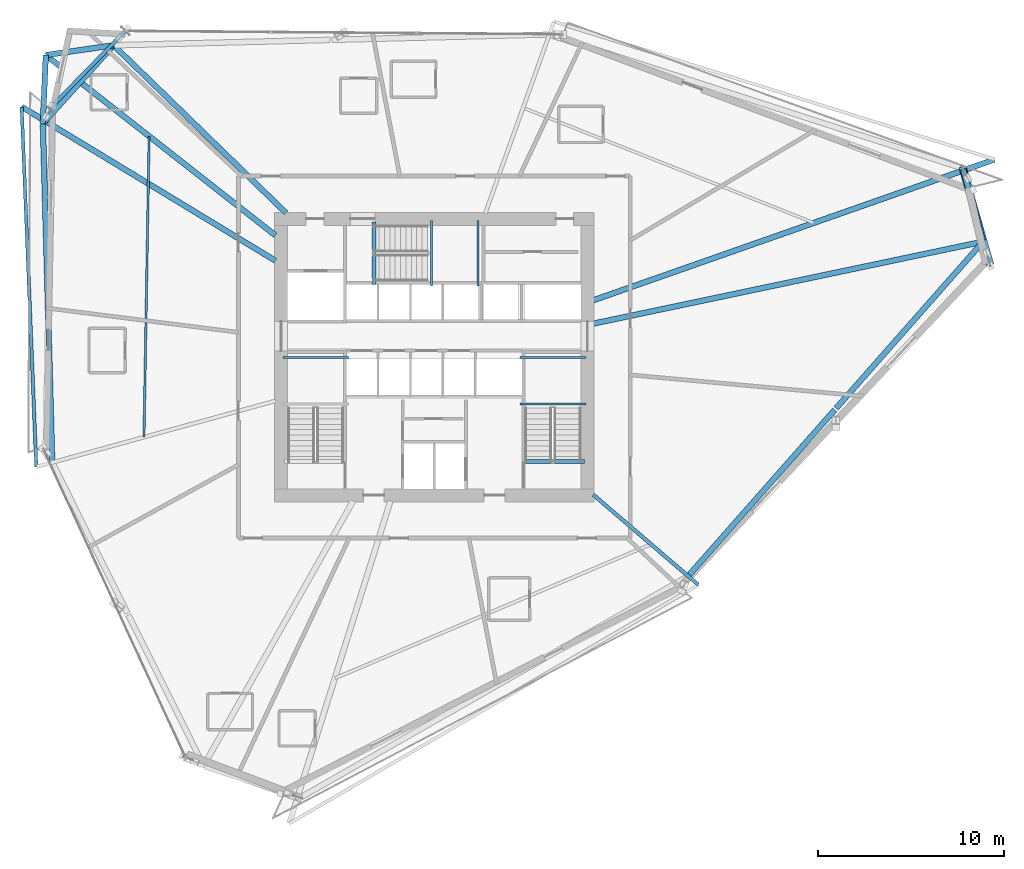
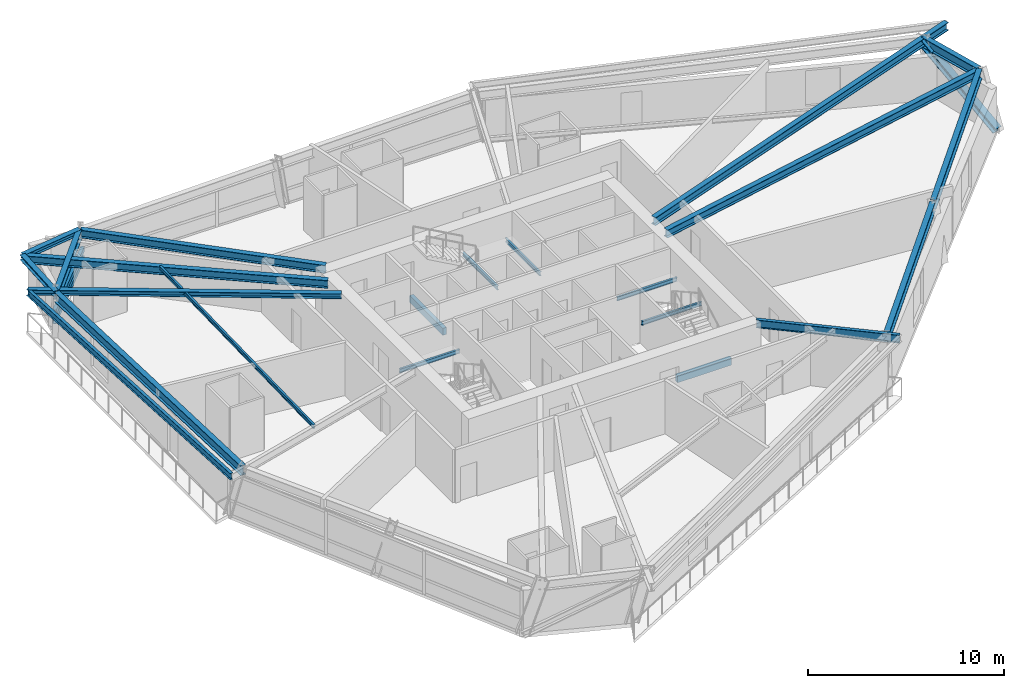
# One storey, part 6 of 22: 22 beams, 3 members.
"""IFC4 building model written with IfcOpenShell, lengths in metres."""

from ifc_helpers import new_model, si_unit, direction, frame, origin, origin_2d, place, context, subcontext, project, spatial, rectangle, hollow_rectangle, i_section, extrude, source, transform, mapped, material, material_profile, profile_set, type_object, element, save


model = new_model("IFC4")

# Units and contexts
model_context = context("Model", 3, precision=1e-05, world=origin(), true_north=direction((0.0, 1.0)))
body_context = subcontext(model_context, "Body", "Model", "MODEL_VIEW")
ifc_project = project(units=[si_unit("LENGTHUNIT", "METRE"), si_unit("AREAUNIT", "SQUARE_METRE"), si_unit("VOLUMEUNIT", "CUBIC_METRE"), si_unit("PLANEANGLEUNIT", "RADIAN"), si_unit("MASSUNIT", "GRAM", prefix="KILO")], contexts=[model_context])

# Site, building, storey
site_placement = place(None, origin())
site = spatial("IfcSite", under=ifc_project, at=site_placement, CompositionType="ELEMENT")
building_placement = place(site_placement, origin())
building = spatial("IfcBuilding", under=site, at=building_placement, Name="Olszyna Solenne Hotel", CompositionType="ELEMENT")
storey_placement = place(building_placement, frame((0.0, 0.0, 95.050048828125)))
storey = spatial("IfcBuildingStorey", under=building, at=storey_placement, Name="L24", CompositionType="ELEMENT", Elevation=95.050048828125)

# Beams
ifc_material_1 = material(Name="Steel S355J2", Category="steel")
ifc_material_profile_1 = material_profile(ifc_material_1, i_section(OverallWidth=0.300048828125, OverallDepth=0.60009765625, WebThickness=0.015380859375, FlangeThickness=0.030029296875, at=origin_2d()), Name="HEB 600", Category="load-bearing")
ifc_profile_set_1 = profile_set([ifc_material_profile_1], Name="Steel S355J2")
beam_type_1 = type_object("IfcBeamType", Name="BM-S2", PredefinedType="BEAM", material=ifc_profile_set_1)
shared_shape_1 = source(origin(), body_context, "Body", "SweptSolid", [
    extrude(i_section(OverallWidth=0.300048828125, OverallDepth=0.60009765625, WebThickness=0.015380859375, FlangeThickness=0.030029296875, at=origin_2d()), origin(), (0.0, 0.0, 1.0), 3.975341796875),
])
beam_1_placement = place(storey_placement, frame((67.544921875, 32.87451171875, 3.0), z_axis=(-0.266478022022, 0.963840995071, 0.0), x_axis=(-0.963840995071, -0.266478022022, 0.0)))
element("IfcBeam", 1, at=beam_1_placement, inside=storey, type_object=beam_type_1, Name="Perimeter spandrel beam BM-S2 B-L24-0720", PredefinedType="BEAM", context=body_context, shape_type="MappedRepresentation", body=[
    mapped(shared_shape_1, transform((0.0, 0.0, 0.0), x_axis=(1.0, 0.0, 0.0), y_axis=(0.0, 1.0, 0.0), z_axis=(0.0, 0.0, 1.0), scale=1.0)),
])
shared_shape_2 = source(origin(), body_context, "Body", "SweptSolid", [
    extrude(i_section(OverallWidth=0.300048828125, OverallDepth=0.60009765625, WebThickness=0.015380859375, FlangeThickness=0.030029296875, at=origin_2d()), origin(), (0.0, 0.0, 1.0), 5.555908203125),
])
beam_2_placement = place(storey_placement, frame((20.67919921875, 43.35009765625, 3.0), z_axis=(-0.670386173774, -0.742012384003, 0.0), x_axis=(0.742012384003, -0.670386173774, 0.0)))
element("IfcBeam", 2, at=beam_2_placement, inside=storey, type_object=beam_type_1, Name="Perimeter spandrel beam BM-S2 B-L24-0724", PredefinedType="BEAM", context=body_context, shape_type="MappedRepresentation", body=[
    mapped(shared_shape_2, transform((0.0, 0.0, 0.0), x_axis=(1.0, 0.0, 0.0), y_axis=(0.0, 1.0, 0.0), z_axis=(0.0, 0.0, 1.0), scale=1.0)),
])
shared_shape_3 = source(origin(), body_context, "Body", "SweptSolid", [
    extrude(i_section(OverallWidth=0.300048828125, OverallDepth=0.60009765625, WebThickness=0.015380859375, FlangeThickness=0.030029296875, at=origin_2d()), origin(), (0.0, 0.0, 1.0), 18.1435546875),
])
beam_3_placement = place(storey_placement, frame((16.916015625, 39.123046875, 3.0), z_axis=(0.027678923806, -0.999616865192, 0.0), x_axis=(0.999616865192, 0.027678923806, 0.0)))
element("IfcBeam", 3, at=beam_3_placement, inside=storey, type_object=beam_type_1, Name="Perimeter spandrel beam BM-S2 B-L24-0725", PredefinedType="BEAM", context=body_context, shape_type="MappedRepresentation", body=[
    mapped(shared_shape_3, transform((0.0, 0.0, 0.0), x_axis=(1.0, 0.0, 0.0), y_axis=(0.0, 1.0, 0.0), z_axis=(0.0, 0.0, 1.0), scale=1.0)),
])
shared_shape_4 = source(origin(), body_context, "Body", "SweptSolid", [
    extrude(i_section(OverallWidth=0.300048828125, OverallDepth=0.60009765625, WebThickness=0.015380859375, FlangeThickness=0.030029296875, at=origin_2d()), origin(), (0.0, 0.0, 1.0), 11.905517578125),
])
for number, where, z_axis, x_axis, name in (
    (4, (51.68994140625, 14.8251953125, 3.0), (0.661533463372, 0.749915646482, 0.0), (-0.749915646482, 0.661533463372, 0.0), "Perimeter spandrel beam BM-S2 B-L24-0730"),
    (5, (59.645263671875, 23.843505859375, 3.0), (0.661521930934, 0.749925819593, 0.0), (-0.749925819593, 0.661521930934, 0.0), "Perimeter spandrel beam BM-S2 B-L24-0731"),
):
    element("IfcBeam", number, at=place(storey_placement, frame(where, z_axis=z_axis, x_axis=x_axis)), inside=storey, type_object=beam_type_1, Name=name, PredefinedType="BEAM", context=body_context, shape_type="MappedRepresentation", body=[
        mapped(shared_shape_4, transform((0.0, 0.0, 0.0), x_axis=(1.0, 0.0, 0.0), y_axis=(0.0, 1.0, 0.0), z_axis=(0.0, 0.0, 1.0), scale=1.0)),
    ])
ifc_material_profile_2 = material_profile(ifc_material_1, i_section(OverallWidth=0.300048828125, OverallDepth=0.489990234375, WebThickness=0.011962890625, FlangeThickness=0.02294921875, at=origin_2d()), Name="HEA 500", Category="load-bearing")
ifc_profile_set_2 = profile_set([ifc_material_profile_2], Name="Steel S355J2")
beam_type_2 = type_object("IfcBeamType", Name="BM-G1", PredefinedType="BEAM", material=ifc_profile_set_2)
shared_shape_5 = source(origin(), body_context, "Body", "SweptSolid", [
    extrude(i_section(OverallWidth=0.300048828125, OverallDepth=0.489990234375, WebThickness=0.011962890625, FlangeThickness=0.02294921875, at=origin_2d()), origin(), (0.0, 0.0, 1.0), 21.409423828125),
])
beam_4_placement = place(storey_placement, frame((67.502197265625, 32.804443359375, 3.054931640625), z_axis=(-0.978592352822, -0.205808180103, 0.0), x_axis=(0.205808180103, -0.978592352822, 0.0)))
element("IfcBeam", 6, at=beam_4_placement, inside=storey, type_object=beam_type_2, Name="Radial floor girder BM-G1 B-L24-0732", PredefinedType="BEAM", context=body_context, shape_type="MappedRepresentation", body=[
    mapped(shared_shape_5, transform((0.0, 0.0, 0.0), x_axis=(1.0, 0.0, 0.0), y_axis=(0.0, 1.0, 0.0), z_axis=(0.0, 0.0, 1.0), scale=1.0)),
])
shared_shape_6 = source(origin(), body_context, "Body", "SweptSolid", [
    extrude(i_section(OverallWidth=0.300048828125, OverallDepth=0.489990234375, WebThickness=0.011962890625, FlangeThickness=0.02294921875, at=origin_2d()), origin(), (0.0, 0.0, 1.0), 22.905029296875),
])
beam_5_placement = place(storey_placement, frame((68.165283203125, 37.239990234375, 3.054931640625), z_axis=(-0.943556860011, -0.331210585468, 0.0), x_axis=(0.331210585468, -0.943556860011, 0.0)))
element("IfcBeam", 7, at=beam_5_placement, inside=storey, type_object=beam_type_2, Name="Radial floor girder BM-G1 B-L24-0733", PredefinedType="BEAM", context=body_context, shape_type="MappedRepresentation", body=[
    mapped(shared_shape_6, transform((0.0, 0.0, 0.0), x_axis=(1.0, 0.0, 0.0), y_axis=(0.0, 1.0, 0.0), z_axis=(0.0, 0.0, 1.0), scale=1.0)),
])
shared_shape_7 = source(origin(), body_context, "Body", "SweptSolid", [
    extrude(i_section(OverallWidth=0.300048828125, OverallDepth=0.489990234375, WebThickness=0.011962890625, FlangeThickness=0.02294921875, at=origin_2d()), origin(), (0.0, 0.0, 1.0), 12.8955078125),
])
beam_6_placement = place(storey_placement, frame((20.762451171875, 43.352783203125, 3.054931640625), z_axis=(0.717116341782, -0.696953479329, 0.0), x_axis=(0.696953479329, 0.717116341782, 0.0)))
element("IfcBeam", 8, at=beam_6_placement, inside=storey, type_object=beam_type_2, Name="Radial floor girder BM-G1 B-L24-0735", PredefinedType="BEAM", context=body_context, shape_type="MappedRepresentation", body=[
    mapped(shared_shape_7, transform((0.0, 0.0, 0.0), x_axis=(1.0, 0.0, 0.0), y_axis=(0.0, 1.0, 0.0), z_axis=(0.0, 0.0, 1.0), scale=1.0)),
])
shared_shape_8 = source(origin(), body_context, "Body", "SweptSolid", [
    extrude(i_section(OverallWidth=0.300048828125, OverallDepth=0.489990234375, WebThickness=0.011962890625, FlangeThickness=0.02294921875, at=origin_2d()), origin(), (0.0, 0.0, 1.0), 15.70263671875),
])
beam_7_placement = place(storey_placement, frame((17.0888671875, 42.851806640625, 3.054931640625), z_axis=(0.786541104932, -0.617537926165, 0.0), x_axis=(0.617537926165, 0.786541104932, 0.0)))
element("IfcBeam", 9, at=beam_7_placement, inside=storey, type_object=beam_type_2, Name="Radial floor girder BM-G1 B-L24-0736", PredefinedType="BEAM", context=body_context, shape_type="MappedRepresentation", body=[
    mapped(shared_shape_8, transform((0.0, 0.0, 0.0), x_axis=(1.0, 0.0, 0.0), y_axis=(0.0, 1.0, 0.0), z_axis=(0.0, 0.0, 1.0), scale=1.0)),
])
ifc_material_profile_3 = material_profile(ifc_material_1, i_section(OverallWidth=0.199951171875, OverallDepth=0.5, WebThickness=0.01025390625, FlangeThickness=0.01611328125, at=origin_2d()), Name="IPE 500", Category="load-bearing")
ifc_profile_set_3 = profile_set([ifc_material_profile_3], Name="Steel S355J2")
beam_type_3 = type_object("IfcBeamType", Name="BM-F3", PredefinedType="BEAM", material=ifc_profile_set_3)
shared_shape_9 = source(origin(), body_context, "Body", "SweptSolid", [
    extrude(i_section(OverallWidth=0.199951171875, OverallDepth=0.5, WebThickness=0.01025390625, FlangeThickness=0.01611328125, at=origin_2d()), origin(), (0.0, 0.0, 1.0), 7.435546875),
])
beam_8_placement = place(storey_placement, frame((52.2060546875, 14.344970703125, 3.050048828125), z_axis=(-0.759038692234, 0.651045515837, 0.0), x_axis=(-0.651045515837, -0.759038692234, 0.0)))
element("IfcBeam", 10, at=beam_8_placement, inside=storey, type_object=beam_type_3, Name="Radial floor girder BM-F3 B-L24-0740", PredefinedType="BEAM", context=body_context, shape_type="MappedRepresentation", body=[
    mapped(shared_shape_9, transform((0.0, 0.0, 0.0), x_axis=(1.0, 0.0, 0.0), y_axis=(0.0, 1.0, 0.0), z_axis=(0.0, 0.0, 1.0), scale=1.0)),
])
ifc_material_profile_4 = material_profile(ifc_material_1, i_section(OverallWidth=0.300048828125, OverallDepth=0.31005859375, WebThickness=0.009033203125, FlangeThickness=0.015380859375, at=origin_2d()), Name="HEA 320", Category="load-bearing")
ifc_profile_set_4 = profile_set([ifc_material_profile_4], Name="Steel S355J2")
beam_type_4 = type_object("IfcBeamType", Name="BM-G3", PredefinedType="BEAM", material=ifc_profile_set_4)
shared_shape_10 = source(origin(), body_context, "Body", "SweptSolid", [
    extrude(i_section(OverallWidth=0.300048828125, OverallDepth=0.31005859375, WebThickness=0.009033203125, FlangeThickness=0.015380859375, at=origin_2d()), origin(), (0.0, 0.0, 1.0), 3.6845703125),
])
for number, where, z_axis, x_axis, name in (
    (11, (20.719482421875, 43.39453125, 3.14501953125), (-0.989589871041, -0.143916250412, 0.0), (0.143916250412, -0.989589871041, 0.0), "Prism side edge beam BM-G3 B-L24-0741"),
    (12, (16.914306640625, 39.18310546875, 3.14501953125), (0.043135301437, 0.999069239728, 0.0), (-0.999069239728, 0.043135301437, 0.0), "Prism side edge beam BM-G3 B-L24-0742"),
):
    element("IfcBeam", number, at=place(storey_placement, frame(where, z_axis=z_axis, x_axis=x_axis)), inside=storey, type_object=beam_type_4, Name=name, PredefinedType="BEAM", context=body_context, shape_type="MappedRepresentation", body=[
        mapped(shared_shape_10, transform((0.0, 0.0, 0.0), x_axis=(1.0, 0.0, 0.0), y_axis=(0.0, 1.0, 0.0), z_axis=(0.0, 0.0, 1.0), scale=1.0)),
    ])
shared_shape_11 = source(origin(), body_context, "Body", "SweptSolid", [
    extrude(i_section(OverallWidth=0.300048828125, OverallDepth=0.31005859375, WebThickness=0.009033203125, FlangeThickness=0.015380859375, at=origin_2d()), origin(), (0.0, 0.0, 1.0), 15.98779296875),
])
beam_9_placement = place(storey_placement, frame((15.7724609375, 40.07958984375, 3.14501953125), z_axis=(0.855054016365, -0.518538936916, 0.0), x_axis=(0.518538936916, 0.855054016365, 0.0)))
element("IfcBeam", 13, at=beam_9_placement, inside=storey, type_object=beam_type_4, Name="Loggia/prism radial back-span girder BM-G3 B-L24-0743", PredefinedType="BEAM", context=body_context, shape_type="MappedRepresentation", body=[
    mapped(shared_shape_11, transform((0.0, 0.0, 0.0), x_axis=(1.0, 0.0, 0.0), y_axis=(0.0, 1.0, 0.0), z_axis=(0.0, 0.0, 1.0), scale=1.0)),
])
ifc_material_profile_5 = material_profile(ifc_material_1, i_section(OverallWidth=0.1201171875, OverallDepth=0.239990234375, WebThickness=0.006103515625, FlangeThickness=0.009765625, at=origin_2d()), Name="IPE 240", Category="load-bearing")
ifc_profile_set_5 = profile_set([ifc_material_profile_5], Name="Steel S355J2")
beam_type_5 = type_object("IfcBeamType", Name="JS-03", PredefinedType="JOIST", material=ifc_profile_set_5)
shared_shape_12 = source(origin(), body_context, "Body", "SweptSolid", [
    extrude(i_section(OverallWidth=0.1201171875, OverallDepth=0.239990234375, WebThickness=0.006103515625, FlangeThickness=0.009765625, at=origin_2d()), origin(), (0.0, 0.0, 1.0), 16.171630859375),
])
beam_10_placement = place(storey_placement, frame((22.6376953125, 38.47509765625, 3.179931640625), z_axis=(-0.0170746217, -0.999854218021, 0.0), x_axis=(0.999854218021, -0.0170746217, 0.0)))
element("IfcBeam", 14, at=beam_10_placement, inside=storey, type_object=beam_type_5, Name="Secondary composite floor joist JS-03 B-L24-0745", PredefinedType="JOIST", context=body_context, shape_type="MappedRepresentation", body=[
    mapped(shared_shape_12, transform((0.0, 0.0, 0.0), x_axis=(1.0, 0.0, 0.0), y_axis=(0.0, 1.0, 0.0), z_axis=(0.0, 0.0, 1.0), scale=1.0)),
])
ifc_material_profile_6 = material_profile(ifc_material_1, i_section(OverallWidth=0.179931640625, OverallDepth=0.39990234375, WebThickness=0.008544921875, FlangeThickness=0.013427734375, at=origin_2d()), Name="IPE 400", Category="load-bearing")
ifc_profile_set_6 = profile_set([ifc_material_profile_6], Name="Steel S355J2")
beam_type_6 = type_object("IfcBeamType", Name="BM-F5", PredefinedType="BEAM", material=ifc_profile_set_6)
shared_shape_13 = source(origin(), body_context, "Body", "SweptSolid", [
    extrude(i_section(OverallWidth=0.179931640625, OverallDepth=0.39990234375, WebThickness=0.008544921875, FlangeThickness=0.013427734375, at=origin_2d()), origin(), (0.0, 0.0, 1.0), 19.41064453125),
])
beam_11_placement = place(storey_placement, frame((15.7724609375, 40.07958984375, 3.099853515625), z_axis=(0.040713947889, -0.999170843473, 0.0), x_axis=(0.999170843473, 0.040713947889, 0.0)))
element("IfcBeam", 15, at=beam_11_placement, inside=storey, type_object=beam_type_6, Name="Loggia outer edge beam BM-F5 B-L24-0748", PredefinedType="BEAM", context=body_context, shape_type="MappedRepresentation", body=[
    mapped(shared_shape_13, transform((0.0, 0.0, 0.0), x_axis=(1.0, 0.0, 0.0), y_axis=(0.0, 1.0, 0.0), z_axis=(0.0, 0.0, 1.0), scale=1.0)),
])

# Members
ifc_material_profile_7 = material_profile(ifc_material_1, hollow_rectangle(XDim=0.199951171875, YDim=0.300048828125, WallThickness=0.01611328125, at=origin_2d()), Name="RHS 300x200x16", Category="load-bearing")
ifc_profile_set_7 = profile_set([ifc_material_profile_7], Name="Steel S355J2")
member_type_1 = type_object("IfcMemberType", Name="CH-PR1", PredefinedType="CHORD", material=ifc_profile_set_7)
shared_shape_14 = source(origin(), body_context, "Body", "SweptSolid", [
    extrude(hollow_rectangle(XDim=0.199951171875, YDim=0.300048828125, WallThickness=0.01611328125, at=origin_2d()), origin(), (0.0, 0.0, 1.0), 5.835205078125),
])
for number, where, z_axis, x_axis, name in (
    (16, (21.353759765625, 44.15869140625, 1.349853515625), (-0.698392863747, -0.715714613423, 0.0), (0.715714613423, -0.698392863747, 0.0), "Glass-prism tie chord CH-PR1 M-L24-PR1"),
    (17, (21.353759765625, 44.15869140625, 0.780029296875), (-0.698392863747, -0.715714613423, 0.0), (0.715714613423, -0.698392863747, 0.0), "Glass-prism tie chord CH-PR1 M-L24-PR2"),
):
    element("IfcMember", number, at=place(storey_placement, frame(where, z_axis=z_axis, x_axis=x_axis)), inside=storey, type_object=member_type_1, Name=name, PredefinedType="CHORD", context=body_context, shape_type="MappedRepresentation", body=[
        mapped(shared_shape_14, transform((0.0, 0.0, 0.0), x_axis=(1.0, 0.0, 0.0), y_axis=(0.0, 1.0, 0.0), z_axis=(0.0, 0.0, 1.0), scale=1.0)),
    ])
ifc_material_2 = material(Name="Steel S460M", Category="steel")
ifc_material_profile_8 = material_profile(ifc_material_2, i_section(OverallWidth=0.406005859375, OverallDepth=0.416015625, WebThickness=0.026611328125, FlangeThickness=0.04150390625, at=origin_2d()), Name="HD 400x382", Category="load-bearing")
ifc_profile_set_8 = profile_set([ifc_material_profile_8], Name="Steel S460M")
member_type_2 = type_object("IfcMemberType", Name="BR-T2", PredefinedType="BRACE", material=ifc_profile_set_8)
shared_shape_15 = source(origin(), body_context, "Body", "SweptSolid", [
    extrude(i_section(OverallWidth=0.406005859375, OverallDepth=0.416015625, WebThickness=0.026611328125, FlangeThickness=0.04150390625, at=origin_2d()), origin(), (0.0, 0.0, 1.0), 6.08154296875),
])
member_placement = place(storey_placement, frame((67.91943359375, 31.653076171875, 0.010009765625), z_axis=(-0.238382872165, 0.840401994931, 0.486721782103), x_axis=(-0.962045927015, -0.272887585488, 0.0)))
element("IfcMember", 18, at=member_placement, inside=storey, type_object=member_type_2, Name="Perimeter braced-tube diagonal BR-T2 BR-L24-1", PredefinedType="BRACE", context=body_context, shape_type="MappedRepresentation", body=[
    mapped(shared_shape_15, transform((0.0, 0.0, 0.0), x_axis=(1.0, 0.0, 0.0), y_axis=(0.0, 1.0, 0.0), z_axis=(0.0, 0.0, 1.0), scale=1.0)),
])

# Beams
shared_shape_16 = source(origin(), body_context, "Body", "SweptSolid", [
    extrude(i_section(OverallWidth=0.1201171875, OverallDepth=0.239990234375, WebThickness=0.006103515625, FlangeThickness=0.009765625, at=origin_2d()), origin(), (0.0, 0.0, 1.0), 3.539794921875),
])
for number, where, z_axis, x_axis, name in (
    (19, (33.3798828125, 26.580078125, 1.449951171875), (-1.0, 0.0, 0.0), (0.0, -1.0, 0.0), "Stair landing support beam JS-03 SLB-ST1-0054"),
    (20, (46.159912109375, 24.070068359375, 1.449951171875), (-1.0, 0.0, 0.0), (0.0, -1.0, 0.0), "Stair landing support beam JS-03 SLB-ST2-0293"),
    (21, (46.159912109375, 26.580078125, 1.449951171875), (-1.0, 0.0, 0.0), (0.0, -1.0, 0.0), "Stair landing support beam JS-03 SLB-ST2-0294"),
):
    element("IfcBeam", number, at=place(storey_placement, frame(where, z_axis=z_axis, x_axis=x_axis)), inside=storey, type_object=beam_type_5, Name=name, PredefinedType="JOIST", context=body_context, shape_type="MappedRepresentation", body=[
        mapped(shared_shape_16, transform((0.0, 0.0, 0.0), x_axis=(1.0, 0.0, 0.0), y_axis=(0.0, 1.0, 0.0), z_axis=(0.0, 0.0, 1.0), scale=1.0)),
    ])
ifc_material_3 = material(Name="Concrete C50/60", Category="concrete")
ifc_material_profile_9 = material_profile(ifc_material_3, rectangle(XDim=0.219970703125, YDim=0.43994140625, at=origin_2d()), Name="RC 220x440", Category="load-bearing")
ifc_profile_set_9 = profile_set([ifc_material_profile_9], Name="Concrete C50/60")
beam_type_7 = type_object("IfcBeamType", Name="BM-ST1", PredefinedType="BEAM", material=ifc_profile_set_9)
shared_shape_17 = source(origin(), body_context, "Body", "SweptSolid", [
    extrude(rectangle(XDim=0.219970703125, YDim=0.43994140625, at=origin_2d()), origin(), (0.0, 0.0, 1.0), 3.18017578125),
])
beam_12_placement = place(storey_placement, frame((46.080078125, 20.97998046875, -0.205078125), z_axis=(-1.0, 0.0, 0.0), x_axis=(0.0, -1.0, 0.0)))
element("IfcBeam", 22, at=beam_12_placement, inside=storey, type_object=beam_type_7, Name="Concrete stair trimmer beam BM-ST1 SHB-ST2-0426", PredefinedType="BEAM", context=body_context, shape_type="MappedRepresentation", body=[
    mapped(shared_shape_17, transform((0.0, 0.0, 0.0), x_axis=(1.0, 0.0, 0.0), y_axis=(0.0, 1.0, 0.0), z_axis=(0.0, 0.0, 1.0), scale=1.0)),
])
shared_shape_18 = source(origin(), body_context, "Body", "SweptSolid", [
    extrude(i_section(OverallWidth=0.1201171875, OverallDepth=0.239990234375, WebThickness=0.006103515625, FlangeThickness=0.009765625, at=origin_2d()), origin(), (0.0, 0.0, 1.0), 3.5400390625),
])
for number, where, z_axis, x_axis, name in (
    (23, (37.85009765625, 30.419921875, 1.449951171875), (0.0, 1.0, 0.0), (-1.0, 0.0, 0.0), "Stair landing support beam JS-03 SLB-ST3-0533"),
    (24, (40.360107421875, 30.419921875, 1.449951171875), (0.0, 1.0, 0.0), (-1.0, 0.0, 0.0), "Stair landing support beam JS-03 SLB-ST3-0534"),
):
    element("IfcBeam", number, at=place(storey_placement, frame(where, z_axis=z_axis, x_axis=x_axis)), inside=storey, type_object=beam_type_5, Name=name, PredefinedType="JOIST", context=body_context, shape_type="MappedRepresentation", body=[
        mapped(shared_shape_18, transform((0.0, 0.0, 0.0), x_axis=(1.0, 0.0, 0.0), y_axis=(0.0, 1.0, 0.0), z_axis=(0.0, 0.0, 1.0), scale=1.0)),
    ])
shared_shape_19 = source(origin(), body_context, "Body", "SweptSolid", [
    extrude(rectangle(XDim=0.219970703125, YDim=0.43994140625, at=origin_2d()), origin(), (0.0, 0.0, 1.0), 3.3798828125),
])
beam_13_placement = place(storey_placement, frame((34.760009765625, 30.5, -0.205078125), z_axis=(0.0, 1.0, 0.0), x_axis=(-1.0, 0.0, 0.0)))
element("IfcBeam", 25, at=beam_13_placement, inside=storey, type_object=beam_type_7, Name="Concrete stair trimmer beam BM-ST1 SHB-ST3-0664", PredefinedType="BEAM", context=body_context, shape_type="MappedRepresentation", body=[
    mapped(shared_shape_19, transform((0.0, 0.0, 0.0), x_axis=(1.0, 0.0, 0.0), y_axis=(0.0, 1.0, 0.0), z_axis=(0.0, 0.0, 1.0), scale=1.0)),
])

save(model, "model.ifc")
